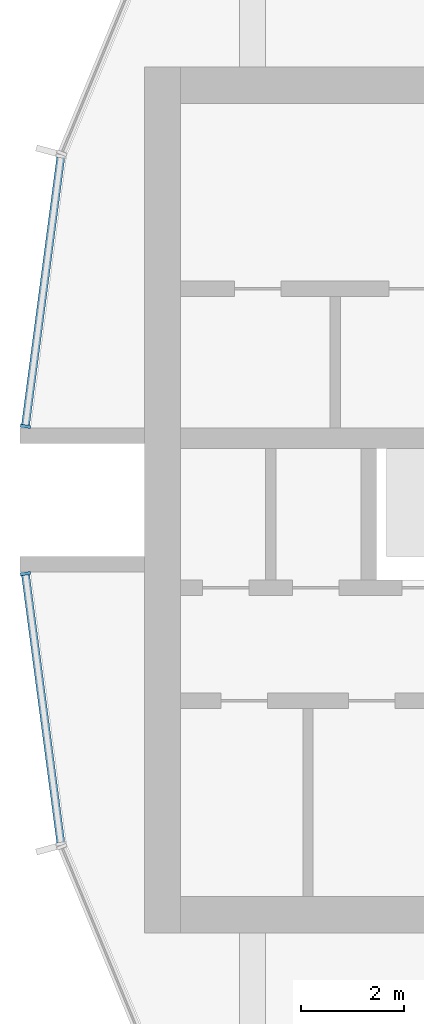
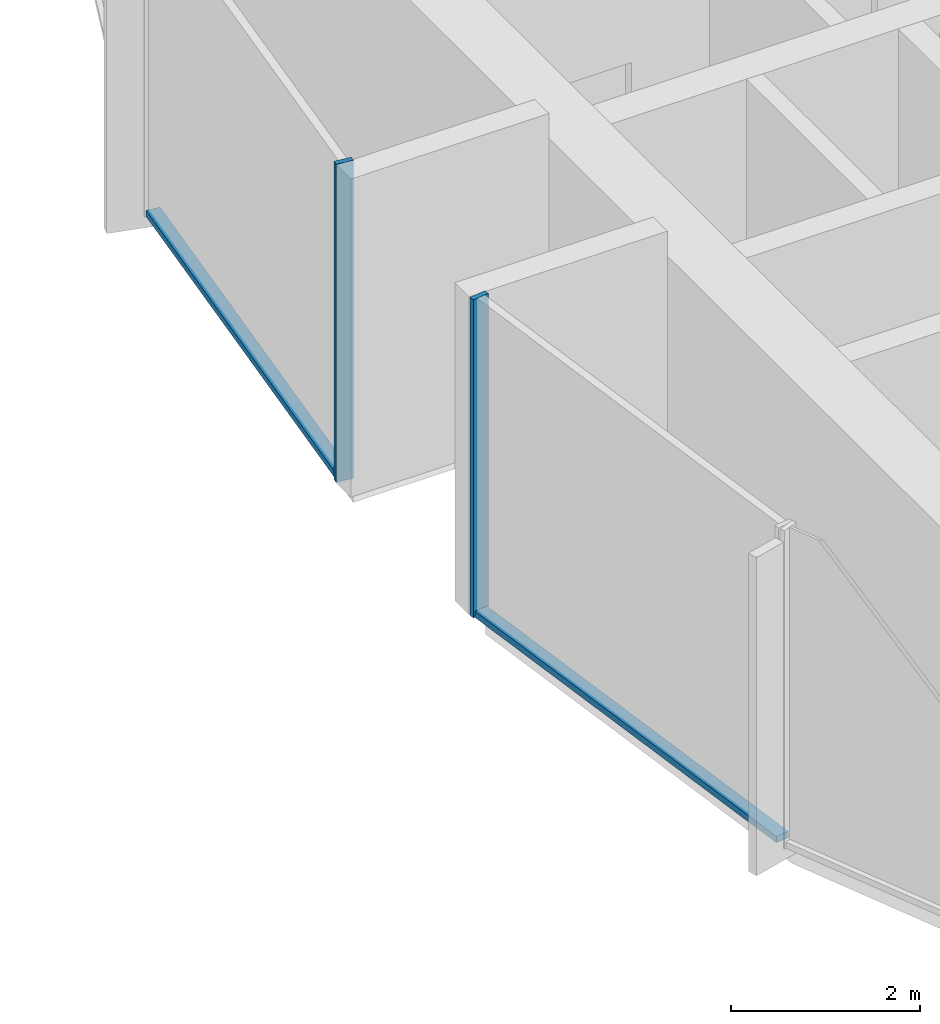
# One storey, part 3 of 15: 4 members, 2 elements without a shape of their own.
"""IFC4 building model written with IfcOpenShell, lengths in metres."""

from ifc_helpers import new_model, si_unit, direction, frame, origin, origin_2d, place, context, subcontext, project, spatial, rectangle, extrude, material, layer, layer_set, material_profile, profile_set, type_object, element, aggregate, save


model = new_model("IFC4")

# Units and contexts
model_context = context("Model", 3, precision=1e-05, world=origin(), true_north=direction((0.0, 1.0)))
body_context = subcontext(model_context, "Body", "Model", "MODEL_VIEW")
ifc_project = project(units=[si_unit("LENGTHUNIT", "METRE"), si_unit("AREAUNIT", "SQUARE_METRE"), si_unit("VOLUMEUNIT", "CUBIC_METRE"), si_unit("PLANEANGLEUNIT", "RADIAN"), si_unit("MASSUNIT", "GRAM", prefix="KILO")], contexts=[model_context])

# Site, building, storey
site_placement = place(None, origin())
site = spatial("IfcSite", under=ifc_project, at=site_placement, CompositionType="ELEMENT")
building_placement = place(site_placement, origin())
building = spatial("IfcBuilding", under=site, at=building_placement, Name="Torre Brocal", CompositionType="ELEMENT")
storey_placement = place(building_placement, frame((0.0, 0.0, 165.89990234375)))
storey = spatial("IfcBuildingStorey", under=building, at=storey_placement, Name="L38", CompositionType="ELEMENT", Elevation=165.89990234375)

# Curtain wall, member
ifc_material_1 = material(Name="Aluminium and glass", Category="aluminium")
ifc_layer = layer(ifc_material_1, 0.199951171875)
ifc_layer_set = layer_set([ifc_layer], Name="Aluminium and glass")
curtain_wall_type = type_object("IfcCurtainWallType", Name="CW-1B CURTAIN WALL 4100 HIGH", PredefinedType="NOTDEFINED", material=ifc_layer_set)
curtain_wall_1_placement = place(storey_placement, origin())
curtain_wall_1 = element("IfcCurtainWall", 1, at=curtain_wall_1_placement, inside=storey, type_object=curtain_wall_type, Name="CW-1B RUN 12", PredefinedType="NOTDEFINED")
ifc_material_2 = material(Name="Aluminium, dark anodised", Category="aluminium")
ifc_material_profile_1 = material_profile(ifc_material_2, rectangle(XDim=0.199951171875, YDim=0.06005859375, at=origin_2d()), Name="CW-1B MULLION 60X200")
ifc_profile_set_1 = profile_set([ifc_material_profile_1], Name="Aluminium, dark anodised")
member_type_1 = type_object("IfcMemberType", Name="CW-1B MULLION 60X200", PredefinedType="MULLION", material=ifc_profile_set_1)
member_1_placement = place(storey_placement, frame((54.2890625, 76.4296875, 0.0), z_axis=(0.0, 0.0, 1.0), x_axis=(0.991444861374, -0.13052619222, 0.0)))
member_1 = element("IfcMember", 2, at=member_1_placement, type_object=member_type_1, Name="CW1B-4 mullion 2", PredefinedType="MULLION", context=body_context, shape_type="SweptSolid", body=[
    extrude(rectangle(XDim=0.199951171875, YDim=0.06005859375, at=origin_2d()), origin(), (0.0, 0.0, 1.0), 4.10009765625),
])

curtain_wall_2_placement = place(storey_placement, origin())
curtain_wall_2 = element("IfcCurtainWall", 3, at=curtain_wall_2_placement, inside=storey, type_object=curtain_wall_type, Name="CW-1B RUN 13", PredefinedType="NOTDEFINED")
member_2_placement = place(storey_placement, frame((54.2890625, 73.5703125, 0.0), z_axis=(0.0, 0.0, 1.0), x_axis=(0.991444861374, 0.13052619222, 0.0)))
member_2 = element("IfcMember", 4, at=member_2_placement, type_object=member_type_1, Name="CW1B-4 mullion 1", PredefinedType="MULLION", context=body_context, shape_type="SweptSolid", body=[
    extrude(rectangle(XDim=0.199951171875, YDim=0.06005859375, at=origin_2d()), origin(), (0.0, 0.0, 1.0), 4.10009765625),
])

# Member
ifc_material_3 = material(Name="Aluminium, dark anodised", Category="aluminium")
ifc_material_profile_2 = material_profile(ifc_material_3, rectangle(XDim=0.159912109375, YDim=0.080078125, at=origin_2d()), Name="CW-1B TRANSOM 160X80")
ifc_profile_set_2 = profile_set([ifc_material_profile_2], Name="Aluminium, dark anodised")
member_type_2 = type_object("IfcMemberType", Name="CW-1B TRANSOM 160X80", PredefinedType="USERDEFINED", material=ifc_profile_set_2)
member_3_placement = place(storey_placement, frame((54.9755859375, 81.643798828125, 0.0400390625), z_axis=(-0.130542677827, -0.991442690863, 0.0), x_axis=(0.991442690863, -0.130542677827, 0.0)))
member_3 = element("IfcMember", 5, at=member_3_placement, type_object=member_type_2, Name="CW1B-4 transom 1.1", ObjectType="TRANSOM", PredefinedType="USERDEFINED", context=body_context, shape_type="SweptSolid", body=[
    extrude(rectangle(XDim=0.159912109375, YDim=0.080078125, at=origin_2d()), origin(), (0.0, 0.0, 1.0), 5.22900390625),
])

aggregate(curtain_wall_1, [member_1, member_3])

member_4_placement = place(storey_placement, frame((54.29296875, 73.54052734375, 0.0400390625), z_axis=(0.130542677827, -0.991442690863, 0.0), x_axis=(0.991442690863, 0.130542677827, 0.0)))
member_4 = element("IfcMember", 6, at=member_4_placement, type_object=member_type_2, Name="CW1B-4 transom 1.1", ObjectType="TRANSOM", PredefinedType="USERDEFINED", context=body_context, shape_type="SweptSolid", body=[
    extrude(rectangle(XDim=0.159912109375, YDim=0.080078125, at=origin_2d()), origin(), (0.0, 0.0, 1.0), 5.22900390625),
])

aggregate(curtain_wall_2, [member_2, member_4])

save(model, "model.ifc")
